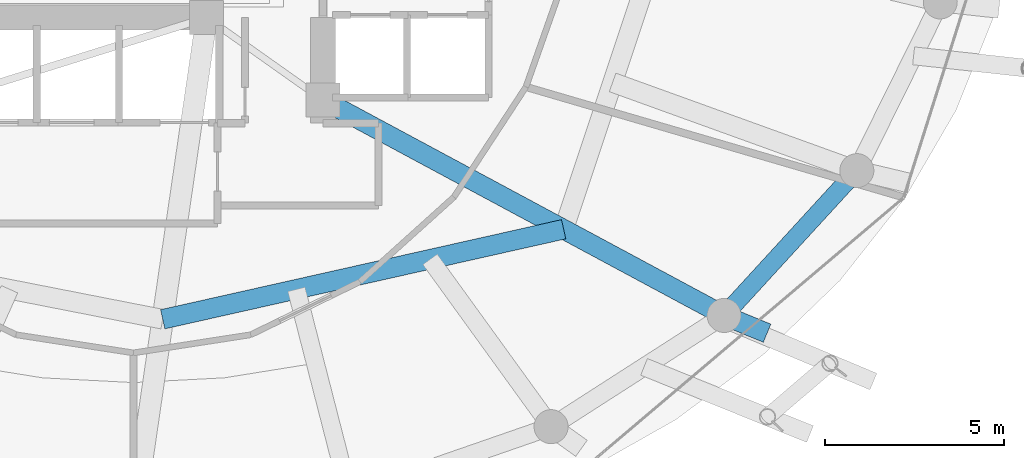
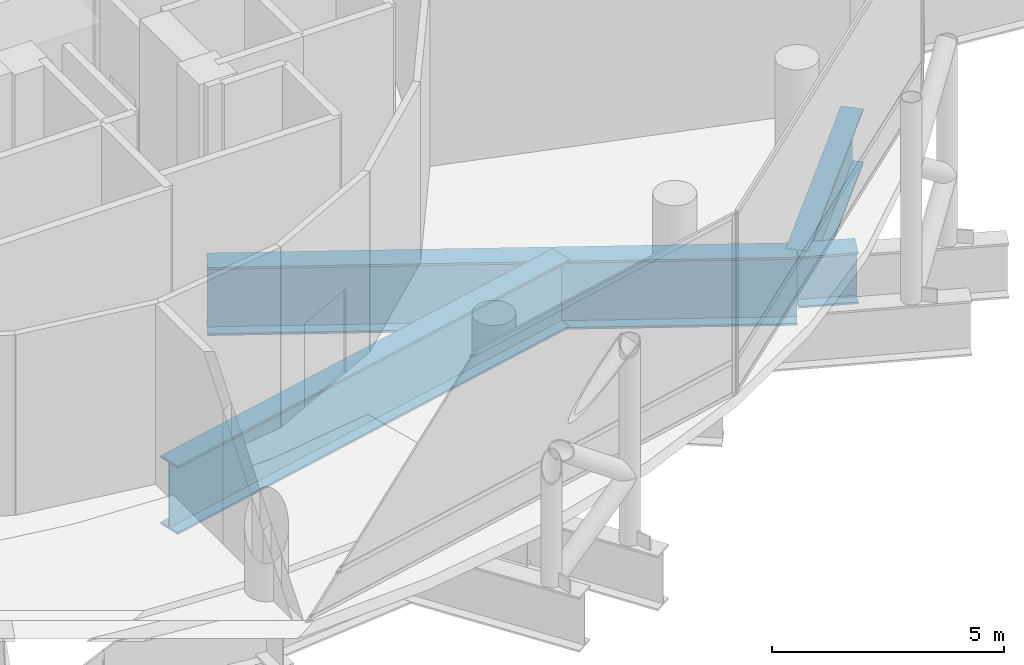
# One storey, part 9 of 29: 4 beams.
"""IFC4 building model written with IfcOpenShell, lengths in metres."""

from ifc_helpers import new_model, si_unit, direction, frame, origin, origin_2d, place, context, subcontext, project, spatial, i_section, extrude, material, material_profile, profile_set, type_object, element, save


model = new_model("IFC4")

# Units and contexts
model_context = context("Model", 3, precision=1e-05, world=origin(), true_north=direction((0.0, 1.0)))
body_context = subcontext(model_context, "Body", "Model", "MODEL_VIEW")
ifc_project = project(units=[si_unit("LENGTHUNIT", "METRE"), si_unit("AREAUNIT", "SQUARE_METRE"), si_unit("VOLUMEUNIT", "CUBIC_METRE"), si_unit("PLANEANGLEUNIT", "RADIAN"), si_unit("MASSUNIT", "GRAM", prefix="KILO")], contexts=[model_context])

# Site, building, storey
site_placement = place(None, origin())
site = spatial("IfcSite", under=ifc_project, at=site_placement, CompositionType="ELEMENT")
building_placement = place(site_placement, origin())
building = spatial("IfcBuilding", under=site, at=building_placement, Name="Nuhasar Tower", CompositionType="ELEMENT")
storey_placement = place(building_placement, frame((0.0, 0.0, 113.25)))
storey = spatial("IfcBuildingStorey", under=building, at=storey_placement, Name="L26", CompositionType="ELEMENT", Elevation=113.25)

# Beams
ifc_material = material(Name="Steel S460", Category="steel")
ifc_material_profile_1 = material_profile(ifc_material, i_section(OverallWidth=0.550048828125, OverallDepth=1.35009765625, WebThickness=0.028076171875, FlangeThickness=0.050048828125, at=origin_2d()), Name="PG1350X550")
ifc_profile_set_1 = profile_set([ifc_material_profile_1], Name="Steel S460")
beam_type_1 = type_object("IfcBeamType", Name="BM-XFER-PG1350", PredefinedType="USERDEFINED", material=ifc_profile_set_1)
beam_1_placement = place(storey_placement, frame((55.510986328125, 12.97607421875, -0.9951171875), z_axis=(0.924619742312, -0.380891496528, 0.0), x_axis=(0.380891496528, 0.924619742312, 0.0)))
element("IfcBeam", 1, at=beam_1_placement, inside=storey, type_object=beam_type_1, Name="L26 Radial Step Transfer Girder 03", ObjectType="GIRDER", PredefinedType="USERDEFINED", context=body_context, shape_type="SweptSolid", body=[
    extrude(i_section(OverallWidth=0.550048828125, OverallDepth=1.35009765625, WebThickness=0.028076171875, FlangeThickness=0.050048828125, at=origin_2d()), origin(), (0.0, 0.0, 1.0), 1.2998046875),
])
ifc_material_profile_2 = material_profile(ifc_material, i_section(OverallWidth=0.5, OverallDepth=1.449951171875, WebThickness=0.028076171875, FlangeThickness=0.050048828125, at=origin_2d()), Name="PG1450X500")
ifc_profile_set_2 = profile_set([ifc_material_profile_2], Name="Steel S460")
beam_type_2 = type_object("IfcBeamType", Name="BM-XFER-PG1450", PredefinedType="USERDEFINED", material=ifc_profile_set_2)
beam_2_placement = place(storey_placement, frame((55.510986328125, 12.97607421875, -1.044921875), z_axis=(0.675676316545, 0.737198423262, 0.0), x_axis=(-0.737198423262, 0.675676316545, 0.0)))
element("IfcBeam", 2, at=beam_2_placement, inside=storey, type_object=beam_type_2, Name="L26 Perimeter Ring Spandrel 22", ObjectType="GIRDER", PredefinedType="USERDEFINED", context=body_context, shape_type="SweptSolid", body=[
    extrude(i_section(OverallWidth=0.5, OverallDepth=1.449951171875, WebThickness=0.028076171875, FlangeThickness=0.050048828125, at=origin_2d()), origin(), (0.0, 0.0, 1.0), 5.4921875),
])
ifc_material_profile_3 = material_profile(ifc_material, i_section(OverallWidth=0.550048828125, OverallDepth=1.800048828125, WebThickness=0.031982421875, FlangeThickness=0.054931640625, at=origin_2d()), Name="PG1800X550")
ifc_profile_set_3 = profile_set([ifc_material_profile_3], Name="Steel S460")
beam_type_3 = type_object("IfcBeamType", Name="BM-XFER-PG1800", PredefinedType="USERDEFINED", material=ifc_profile_set_3)
beam_3_placement = place(storey_placement, frame((44.300048828125, 19.0, -1.219970703125), z_axis=(0.880888386928, -0.473324043098, 0.0), x_axis=(0.473324043098, 0.880888386928, 0.0)))
element("IfcBeam", 3, at=beam_3_placement, inside=storey, type_object=beam_type_3, Name="L26 Radial Floor Girder 03", ObjectType="GIRDER", PredefinedType="USERDEFINED", context=body_context, shape_type="SweptSolid", body=[
    extrude(i_section(OverallWidth=0.550048828125, OverallDepth=1.800048828125, WebThickness=0.031982421875, FlangeThickness=0.054931640625, at=origin_2d()), origin(), (0.0, 0.0, 1.0), 12.726806640625),
])
beam_4_placement = place(storey_placement, frame((39.820068359375, 12.8701171875, -1.219970703125), z_axis=(0.975716159385, 0.219038755282, 0.0), x_axis=(-0.219038755282, 0.975716159385, 0.0)))
element("IfcBeam", 4, at=beam_4_placement, inside=storey, type_object=beam_type_3, Name="L26 Inner Header Beam 02", ObjectType="GIRDER", PredefinedType="USERDEFINED", context=body_context, shape_type="SweptSolid", body=[
    extrude(i_section(OverallWidth=0.550048828125, OverallDepth=1.800048828125, WebThickness=0.031982421875, FlangeThickness=0.054931640625, at=origin_2d()), origin(), (0.0, 0.0, 1.0), 11.48583984375),
])

save(model, "model.ifc")
